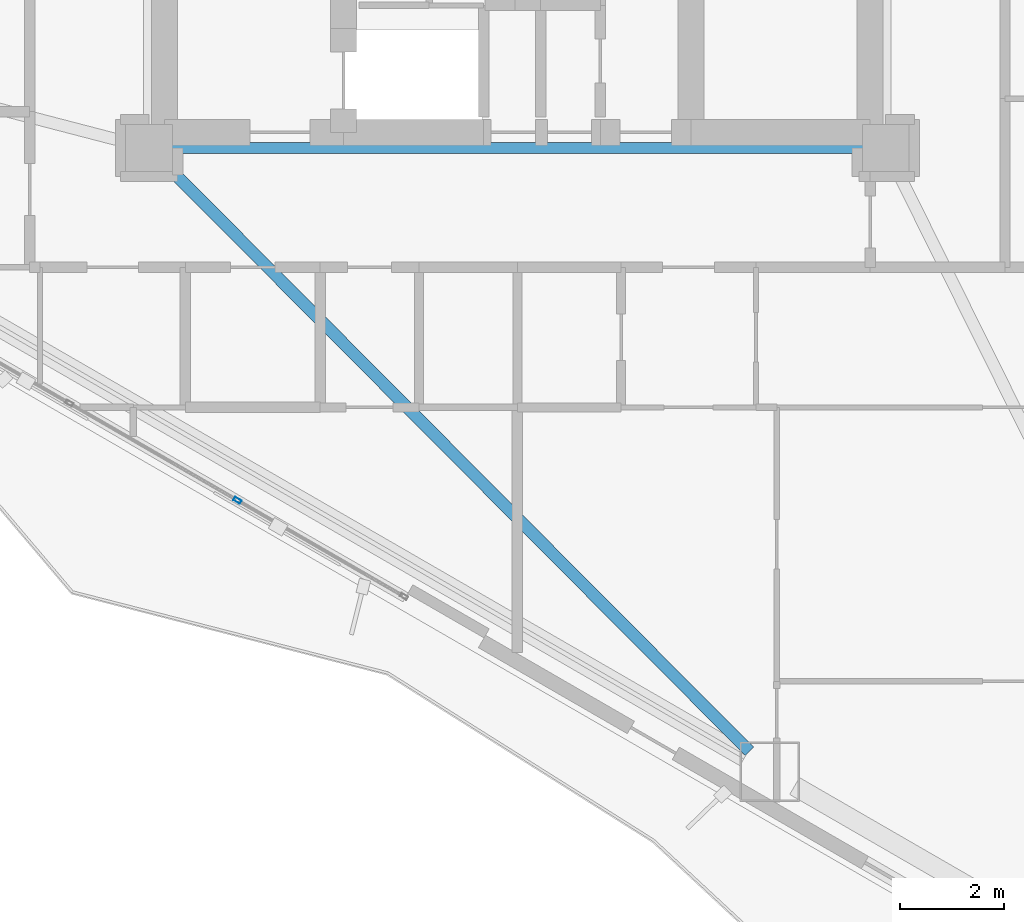
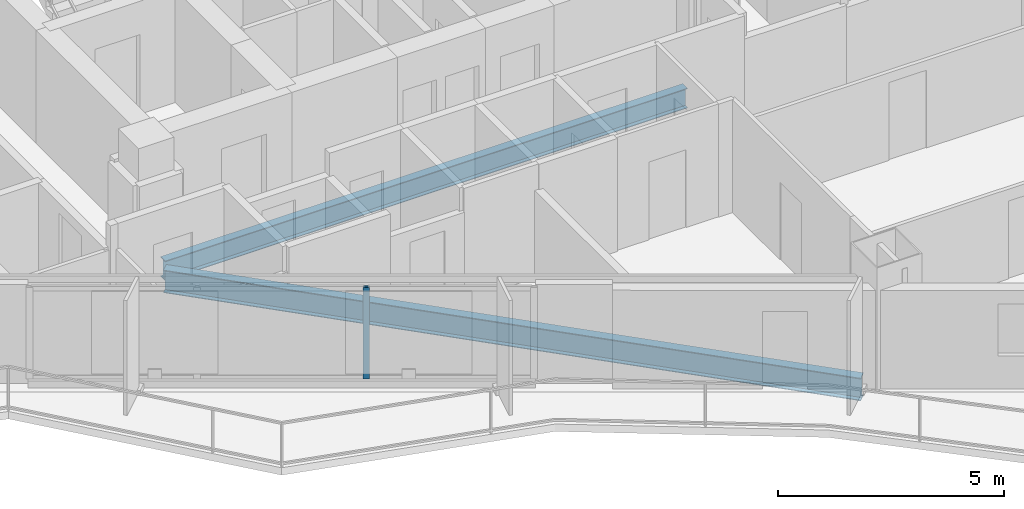
# One storey, part 4 of 22: 2 beams, 1 member, 1 element without a shape of its own.
"""IFC4 building model written with IfcOpenShell, lengths in metres."""

from ifc_helpers import new_model, si_unit, direction, frame, origin, origin_2d, place, context, subcontext, project, spatial, hollow_rectangle, i_section, extrude, material, layer, layer_set, material_profile, profile_set, type_object, element, aggregate, save


model = new_model("IFC4")

# Units and contexts
model_context = context("Model", 3, precision=1e-05, world=origin(), true_north=direction((0.0, 1.0)))
body_context = subcontext(model_context, "Body", "Model", "MODEL_VIEW")
ifc_project = project(units=[si_unit("LENGTHUNIT", "METRE"), si_unit("AREAUNIT", "SQUARE_METRE"), si_unit("VOLUMEUNIT", "CUBIC_METRE"), si_unit("PLANEANGLEUNIT", "RADIAN"), si_unit("MASSUNIT", "GRAM", prefix="KILO")], contexts=[model_context])

# Site, building, storey
site_placement = place(None, origin())
site = spatial("IfcSite", under=ifc_project, at=site_placement, CompositionType="ELEMENT")
building_placement = place(site_placement, origin())
building = spatial("IfcBuilding", under=site, at=building_placement, Name="Mersakhor Tower and Convention Hall", CompositionType="ELEMENT")
storey_placement = place(building_placement, frame((0.0, 0.0, 76.800048828125)))
storey = spatial("IfcBuildingStorey", under=building, at=storey_placement, Name="L20", CompositionType="ELEMENT", Elevation=76.800048828125)

# Beams
ifc_material_1 = material(Name="Steel S355", Category="steel")
ifc_material_profile_1 = material_profile(ifc_material_1, i_section(OverallWidth=0.2099609375, OverallDepth=0.53662109375, WebThickness=0.0107421875, FlangeThickness=0.017333984375, at=origin_2d()), Name="UB 533x210x101")
ifc_profile_set_1 = profile_set([ifc_material_profile_1], Name="Steel S355")
beam_type_1 = type_object("IfcBeamType", Name="BM-FB-533", PredefinedType="BEAM", material=ifc_profile_set_1)
beam_1_placement = place(storey_placement, frame((35.669921875, 20.449951171875, -0.5185546875), z_axis=(-1.0, 0.0, 0.0), x_axis=(0.0, -1.0, 0.0)))
element("IfcBeam", 1, at=beam_1_placement, inside=storey, type_object=beam_type_1, Name="L20 Core Ring Tie Beam CRB-4", PredefinedType="BEAM", context=body_context, shape_type="SweptSolid", body=[
    extrude(i_section(OverallWidth=0.2099609375, OverallDepth=0.53662109375, WebThickness=0.0107421875, FlangeThickness=0.017333984375, at=origin_2d()), origin(), (0.0, 0.0, 1.0), 13.33984375),
])
ifc_material_2 = material(Name="Steel S355", Category="steel")
ifc_material_profile_2 = material_profile(ifc_material_2, i_section(OverallWidth=0.22900390625, OverallDepth=0.6123046875, WebThickness=0.011962890625, FlangeThickness=0.01953125, at=origin_2d()), Name="UB 610x229x125")
ifc_profile_set_2 = profile_set([ifc_material_profile_2], Name="Steel S355")
beam_type_2 = type_object("IfcBeamType", Name="BM-PR-610", PredefinedType="BEAM", material=ifc_profile_set_2)
beam_2_placement = place(storey_placement, frame((22.203369140625, 20.145263671875, -0.55615234375), z_axis=(0.705400603107, -0.708808852327, 0.0), x_axis=(0.708808852327, 0.705400603107, 0.0)))
element("IfcBeam", 2, at=beam_2_placement, inside=storey, type_object=beam_type_2, Name="L20 Primary Floor Girder FG-5", PredefinedType="BEAM", context=body_context, shape_type="SweptSolid", body=[
    extrude(i_section(OverallWidth=0.22900390625, OverallDepth=0.6123046875, WebThickness=0.011962890625, FlangeThickness=0.01953125, at=origin_2d()), origin(), (0.0, 0.0, 1.0), 15.973876953125),
])

# Curtain wall, member
ifc_material_3 = material(Name="Dark solar low-E aluminium curtain wall", Category="aluminium")
ifc_layer = layer(ifc_material_3, 0.159912109375)
ifc_layer_set = layer_set([ifc_layer], Name="Dark solar low-E aluminium curtain wall")
curtain_wall_type = type_object("IfcCurtainWallType", Name="CW-SYS-01", PredefinedType="USERDEFINED", material=ifc_layer_set)
curtain_wall_placement = place(storey_placement, origin())
curtain_wall = element("IfcCurtainWall", 3, at=curtain_wall_placement, inside=storey, type_object=curtain_wall_type, Name="L20 Dark-Glass Curtain Wall F3-B2", ObjectType="CURTAIN WALL", PredefinedType="USERDEFINED")
ifc_material_4 = material(Name="Anodised aluminium EN AW-6063 T6", Category="aluminium")
ifc_material_profile_3 = material_profile(ifc_material_4, hollow_rectangle(XDim=0.074951171875, YDim=0.14990234375, WallThickness=0.00634765625, at=origin_2d()), Name="RHS 150x75x6.3")
ifc_profile_set_3 = profile_set([ifc_material_profile_3], Name="Anodised aluminium EN AW-6063 T6")
member_type = type_object("IfcMemberType", Name="CWM-150x75", PredefinedType="MULLION", material=ifc_profile_set_3)
member_placement = place(storey_placement, frame((23.603515625, 13.659912109375, 0.199951171875), z_axis=(0.0, 0.0, 1.0), x_axis=(-0.499997904985, -0.866026613339, 0.0)))
member = element("IfcMember", 4, at=member_placement, type_object=member_type, Name="CW-01 mullion 2", PredefinedType="MULLION", context=body_context, shape_type="SweptSolid", body=[
    extrude(hollow_rectangle(XDim=0.074951171875, YDim=0.14990234375, WallThickness=0.00634765625, at=origin_2d()), origin(), (0.0, 0.0, 1.0), 2.469970703125),
])
aggregate(curtain_wall, [member])

save(model, "model.ifc")
